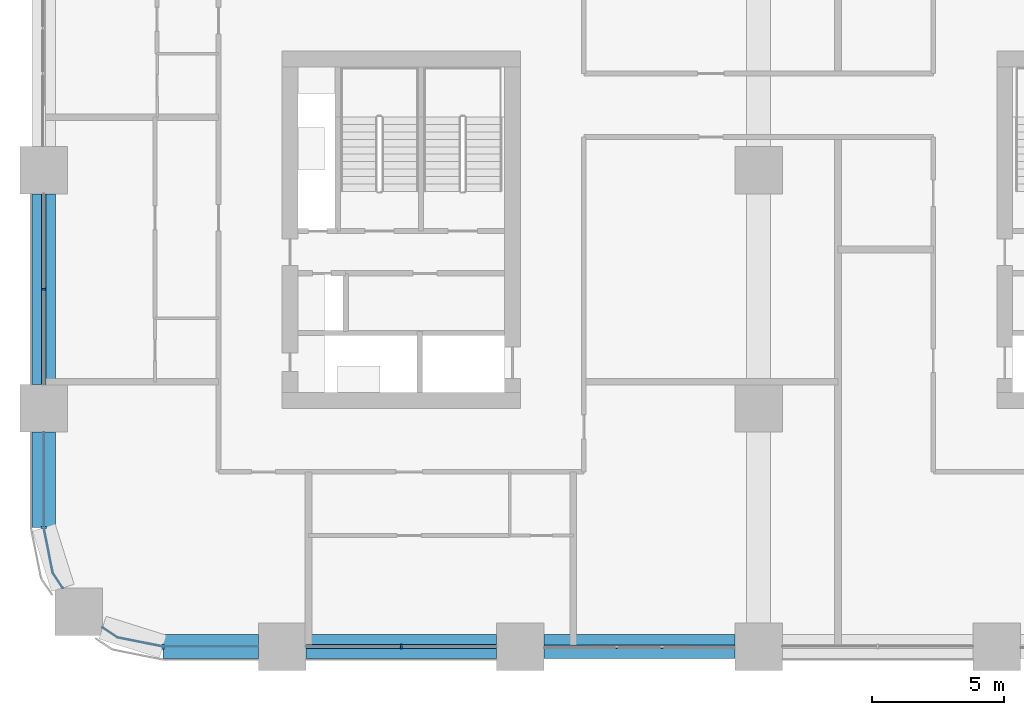
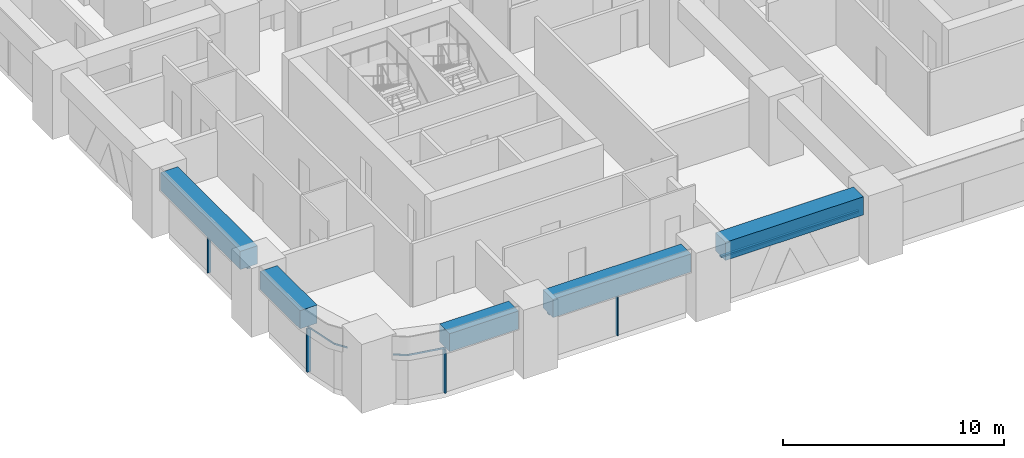
# One storey, part 2 of 21: 9 members, 5 beams, 5 elements without a shape of their own.
"""IFC4 building model written with IfcOpenShell, lengths in metres."""

from ifc_helpers import new_model, si_unit, direction, frame, origin, origin_2d, place, context, subcontext, project, spatial, polyline, rectangle, outline, extrude, material, material_profile, profile_set, type_object, element, aggregate, save


model = new_model("IFC4")

# Units and contexts
model_context = context("Model", 3, precision=1e-05, world=origin(), true_north=direction((0.0, 1.0)))
body_context = subcontext(model_context, "Body", "Model", "MODEL_VIEW")
ifc_project = project(units=[si_unit("LENGTHUNIT", "METRE"), si_unit("AREAUNIT", "SQUARE_METRE"), si_unit("VOLUMEUNIT", "CUBIC_METRE"), si_unit("PLANEANGLEUNIT", "RADIAN"), si_unit("MASSUNIT", "GRAM", prefix="KILO")], contexts=[model_context])

# Site, building, storey
site_placement = place(None, origin())
site = spatial("IfcSite", under=ifc_project, at=site_placement, CompositionType="ELEMENT")
building_placement = place(site_placement, origin())
building = spatial("IfcBuilding", under=site, at=building_placement, Name="Tessera Arch", CompositionType="ELEMENT")
storey_placement = place(building_placement, frame((0.0, 0.0, 50.0)))
storey = spatial("IfcBuildingStorey", under=building, at=storey_placement, Name="L10", CompositionType="ELEMENT", Elevation=50.0)

# Curtain wall, member
ifc_material_1 = material(Name="CW1 curtain wall")
curtain_wall_type_1 = type_object("IfcCurtainWallType", Name="CW1 curtain wall", PredefinedType="NOTDEFINED", material=ifc_material_1)
curtain_wall_1_placement = place(storey_placement, origin())
curtain_wall_1 = element("IfcCurtainWall", 1, at=curtain_wall_1_placement, inside=storey, type_object=curtain_wall_type_1, Name="CW1 curtain wall S0.0/0 L10", PredefinedType="NOTDEFINED")
ifc_material_2 = material(Name="Anodised aluminium pale metal", Category="aluminium")
ifc_material_profile_1 = material_profile(ifc_material_2, rectangle(XDim=0.159912109375, YDim=0.06005859375, at=origin_2d()), Name="AL 60x160")
ifc_profile_set_1 = profile_set([ifc_material_profile_1], Name="Anodised aluminium pale metal")
member_type_1 = type_object("IfcMemberType", Name="CW1 mullion", PredefinedType="MULLION", material=ifc_profile_set_1)
member_1_placement = place(storey_placement, frame((13.5, 0.0, 0.0), z_axis=(0.0, 0.0, 1.0), x_axis=(0.0, 1.0, 0.0)))
member_1 = element("IfcMember", 2, at=member_1_placement, type_object=member_type_1, Name="CW1 mullion S0.0/0 1", PredefinedType="MULLION", context=body_context, shape_type="SweptSolid", body=[
    extrude(rectangle(XDim=0.159912109375, YDim=0.06005859375, at=origin_2d()), origin(), (0.0, 0.0, 1.0), 2.39990234375),
])

curtain_wall_2_placement = place(storey_placement, origin())
curtain_wall_2 = element("IfcCurtainWall", 3, at=curtain_wall_2_placement, inside=storey, type_object=curtain_wall_type_1, Name="CW1 curtain wall W0.0/4 L10", PredefinedType="NOTDEFINED")
member_2_placement = place(storey_placement, frame((0.0, 13.5, 0.0), z_axis=(0.0, 0.0, 1.0), x_axis=(1.0, 0.0, 0.0)))
member_2 = element("IfcMember", 4, at=member_2_placement, type_object=member_type_1, Name="CW1 mullion W0.0/4 1", PredefinedType="MULLION", context=body_context, shape_type="SweptSolid", body=[
    extrude(rectangle(XDim=0.159912109375, YDim=0.06005859375, at=origin_2d()), origin(), (0.0, 0.0, 1.0), 2.39990234375),
])

# Member
ifc_material_3 = material(Name="Anodised aluminium pale metal", Category="aluminium")
ifc_material_profile_2 = material_profile(ifc_material_3, rectangle(XDim=0.159912109375, YDim=0.10009765625, at=origin_2d()), Name="AL 160x100")
ifc_profile_set_2 = profile_set([ifc_material_profile_2], Name="Anodised aluminium pale metal")
member_type_2 = type_object("IfcMemberType", Name="CW1 transom", PredefinedType="USERDEFINED", material=ifc_profile_set_2)
member_3_placement = place(storey_placement, frame((9.89990234375, 0.0, 2.449951171875), z_axis=(1.0, 0.0, 0.0), x_axis=(0.0, 1.0, 0.0)))
member_3 = element("IfcMember", 5, at=member_3_placement, type_object=member_type_2, Name="CW1 transom S0.0/0 1.1", ObjectType="TRANSOM", PredefinedType="USERDEFINED", context=body_context, shape_type="SweptSolid", body=[
    extrude(rectangle(XDim=0.159912109375, YDim=0.10009765625, at=origin_2d()), origin(), (0.0, 0.0, 1.0), 7.2001953125),
])

aggregate(curtain_wall_1, [member_1, member_3])

member_4_placement = place(storey_placement, frame((0.0, 17.10009765625, 2.449951171875), z_axis=(0.0, -1.0, 0.0), x_axis=(1.0, 0.0, 0.0)))
member_4 = element("IfcMember", 6, at=member_4_placement, type_object=member_type_2, Name="CW1 transom W0.0/4 1.1", ObjectType="TRANSOM", PredefinedType="USERDEFINED", context=body_context, shape_type="SweptSolid", body=[
    extrude(rectangle(XDim=0.159912109375, YDim=0.10009765625, at=origin_2d()), origin(), (0.0, 0.0, 1.0), 7.2001953125),
])

aggregate(curtain_wall_2, [member_2, member_4])

# Curtain wall, member
ifc_material_4 = material(Name="CW2 curtain wall")
curtain_wall_type_2 = type_object("IfcCurtainWallType", Name="CW2 curtain wall", PredefinedType="NOTDEFINED", material=ifc_material_4)
curtain_wall_3_placement = place(storey_placement, origin())
curtain_wall_3 = element("IfcCurtainWall", 7, at=curtain_wall_3_placement, inside=storey, type_object=curtain_wall_type_2, Name="CW2 curtain wall W0.0/5 L10", PredefinedType="NOTDEFINED")
ifc_material_5 = material(Name="Anodised aluminium pale metal", Category="aluminium")
ifc_material_profile_3 = material_profile(ifc_material_5, rectangle(XDim=0.199951171875, YDim=0.080078125, at=origin_2d()), Name="AL 80x200")
ifc_profile_set_3 = profile_set([ifc_material_profile_3], Name="Anodised aluminium pale metal")
member_type_3 = type_object("IfcMemberType", Name="CW2 mullion", PredefinedType="MULLION", material=ifc_profile_set_3)
member_5_placement = place(storey_placement, frame((0.0, 4.5, 0.0), z_axis=(0.0, 0.0, 1.0), x_axis=(1.0, 0.0, 0.0)))
member_5 = element("IfcMember", 8, at=member_5_placement, type_object=member_type_3, Name="CW2 mullion W0.0/5 1", PredefinedType="MULLION", context=body_context, shape_type="SweptSolid", body=[
    extrude(rectangle(XDim=0.199951171875, YDim=0.080078125, at=origin_2d()), origin(), (0.0, 0.0, 1.0), 2.39990234375),
])

curtain_wall_4_placement = place(storey_placement, origin())
curtain_wall_4 = element("IfcCurtainWall", 9, at=curtain_wall_4_placement, inside=storey, type_object=curtain_wall_type_2, Name="CW2 curtain wall S0.0/5 L10", PredefinedType="NOTDEFINED")
member_6_placement = place(storey_placement, frame((4.5, 0.0, 0.0), z_axis=(0.0, 0.0, 1.0), x_axis=(0.0, 1.0, 0.0)))
member_6 = element("IfcMember", 10, at=member_6_placement, type_object=member_type_3, Name="CW2 mullion S0.0/5 1", PredefinedType="MULLION", context=body_context, shape_type="SweptSolid", body=[
    extrude(rectangle(XDim=0.199951171875, YDim=0.080078125, at=origin_2d()), origin(), (0.0, 0.0, 1.0), 2.39990234375),
])

# Member
ifc_material_6 = material(Name="Anodised aluminium pale metal", Category="aluminium")
ifc_material_profile_4 = material_profile(ifc_material_6, rectangle(XDim=0.199951171875, YDim=0.10009765625, at=origin_2d()), Name="AL 200x100")
ifc_profile_set_4 = profile_set([ifc_material_profile_4], Name="Anodised aluminium pale metal")
member_type_4 = type_object("IfcMemberType", Name="CW2 transom", PredefinedType="USERDEFINED", material=ifc_profile_set_4)
member_7_placement = place(storey_placement, frame((0.0, 0.0, 2.39990234375)))
member_7 = element("IfcMember", 11, at=member_7_placement, type_object=member_type_4, Name="CW2 transom W0.0/5 1", ObjectType="TRANSOM", PredefinedType="USERDEFINED", context=body_context, shape_type="SweptSolid", body=[
    extrude(outline(polyline([(0.010009765625, 4.5009765625), (0.010009765625, 8.10009765625), (-0.010009765625, 8.10009765625), (-0.010009765625, 4.4990234375), (0.3330078125, 2.77392578125), (0.70849609375, 2.21240234375), (0.72509765625, 2.2236328125), (0.351806640625, 2.78173828125), (0.010009765625, 4.5009765625)])), origin(), (0.0, 0.0, 1.0), 0.10009765625),
])

aggregate(curtain_wall_3, [member_5, member_7])

member_8_placement = place(storey_placement, frame((0.0, 0.0, 2.39990234375)))
member_8 = element("IfcMember", 12, at=member_8_placement, type_object=member_type_4, Name="CW2 transom S0.0/5 1", ObjectType="TRANSOM", PredefinedType="USERDEFINED", context=body_context, shape_type="SweptSolid", body=[
    extrude(outline(polyline([(2.78173828125, 0.351806640625), (2.2236328125, 0.72509765625), (2.21240234375, 0.70849609375), (2.77392578125, 0.3330078125), (4.4990234375, -0.010009765625), (8.10009765625, -0.010009765625), (8.10009765625, 0.010009765625), (4.5009765625, 0.010009765625), (2.78173828125, 0.351806640625)])), origin(), (0.0, 0.0, 1.0), 0.10009765625),
])

aggregate(curtain_wall_4, [member_6, member_8])

# Curtain wall, member
ifc_material_7 = material(Name="CW3 curtain wall")
curtain_wall_type_3 = type_object("IfcCurtainWallType", Name="CW3 curtain wall", PredefinedType="NOTDEFINED", material=ifc_material_7)
curtain_wall_5_placement = place(storey_placement, origin())
curtain_wall_5 = element("IfcCurtainWall", 13, at=curtain_wall_5_placement, inside=storey, type_object=curtain_wall_type_3, Name="CW3 curtain wall S0.0/1 L10", PredefinedType="NOTDEFINED")
ifc_material_8 = material(Name="Anodised aluminium pale metal", Category="aluminium")
ifc_material_profile_5 = material_profile(ifc_material_8, rectangle(XDim=0.139892578125, YDim=0.10009765625, at=origin_2d()), Name="AL 140x100")
ifc_profile_set_5 = profile_set([ifc_material_profile_5], Name="Anodised aluminium pale metal")
member_type_5 = type_object("IfcMemberType", Name="CW3 transom", PredefinedType="USERDEFINED", material=ifc_profile_set_5)
member_9_placement = place(storey_placement, frame((18.89990234375, 0.0, 2.449951171875), z_axis=(1.0, 0.0, 0.0), x_axis=(0.0, 1.0, 0.0)))
member_9 = element("IfcMember", 14, at=member_9_placement, type_object=member_type_5, Name="CW3 transom S0.0/1 1.1", ObjectType="TRANSOM", PredefinedType="USERDEFINED", context=body_context, shape_type="SweptSolid", body=[
    extrude(rectangle(XDim=0.139892578125, YDim=0.10009765625, at=origin_2d()), origin(), (0.0, 0.0, 1.0), 7.2001953125),
])
aggregate(curtain_wall_5, [member_9])

# Beams
ifc_material_9 = material(Name="Concrete C80/95", Category="concrete")
ifc_material_profile_6 = material_profile(ifc_material_9, rectangle(XDim=0.89990234375, YDim=1.0, at=origin_2d()), Name="RC spandrel beam 900 x 1000 Concrete C80/95")
ifc_profile_set_6 = profile_set([ifc_material_profile_6], Name="Concrete C80/95")
beam_type = type_object("IfcBeamType", Name="RC spandrel beam 900 x 1000 Concrete C80/95", PredefinedType="BEAM", material=ifc_profile_set_6)
for number, where, z_axis, x_axis, name in (
    (15, (9.89990234375, 0.0, 3.0), (1.0, 0.0, 0.0), (0.0, 1.0, 0.0), "Spandrel beam L10 S0.0/0"),
    (16, (18.89990234375, 0.0, 3.0), (1.0, 0.0, 0.0), (0.0, 1.0, 0.0), "Spandrel beam L10 S0.0/1"),
    (17, (0.0, 17.10009765625, 3.0), (0.0, -1.0, 0.0), (1.0, 0.0, 0.0), "Spandrel beam L10 W0.0/4"),
):
    element("IfcBeam", number, at=place(storey_placement, frame(where, z_axis=z_axis, x_axis=x_axis)), inside=storey, type_object=beam_type, Name=name, PredefinedType="BEAM", context=body_context, shape_type="SweptSolid", body=[
        extrude(rectangle(XDim=0.89990234375, YDim=1.0, at=origin_2d()), origin(), (0.0, 0.0, 1.0), 7.2001953125),
    ])
for number, where, z_axis, x_axis, name in (
    (18, (0.0, 8.10009765625, 3.0), (0.0, -1.0, 0.0), (1.0, 0.0, 0.0), "Spandrel beam L10 W0.0/5.1"),
    (19, (4.5, 0.0, 3.0), (1.0, 0.0, 0.0), (0.0, 1.0, 0.0), "Spandrel beam L10 S0.0/5.2"),
):
    element("IfcBeam", number, at=place(storey_placement, frame(where, z_axis=z_axis, x_axis=x_axis)), inside=storey, type_object=beam_type, Name=name, PredefinedType="BEAM", context=body_context, shape_type="SweptSolid", body=[
        extrude(rectangle(XDim=0.89990234375, YDim=1.0, at=origin_2d()), origin(), (0.0, 0.0, 1.0), 3.60009765625),
    ])

save(model, "model.ifc")
